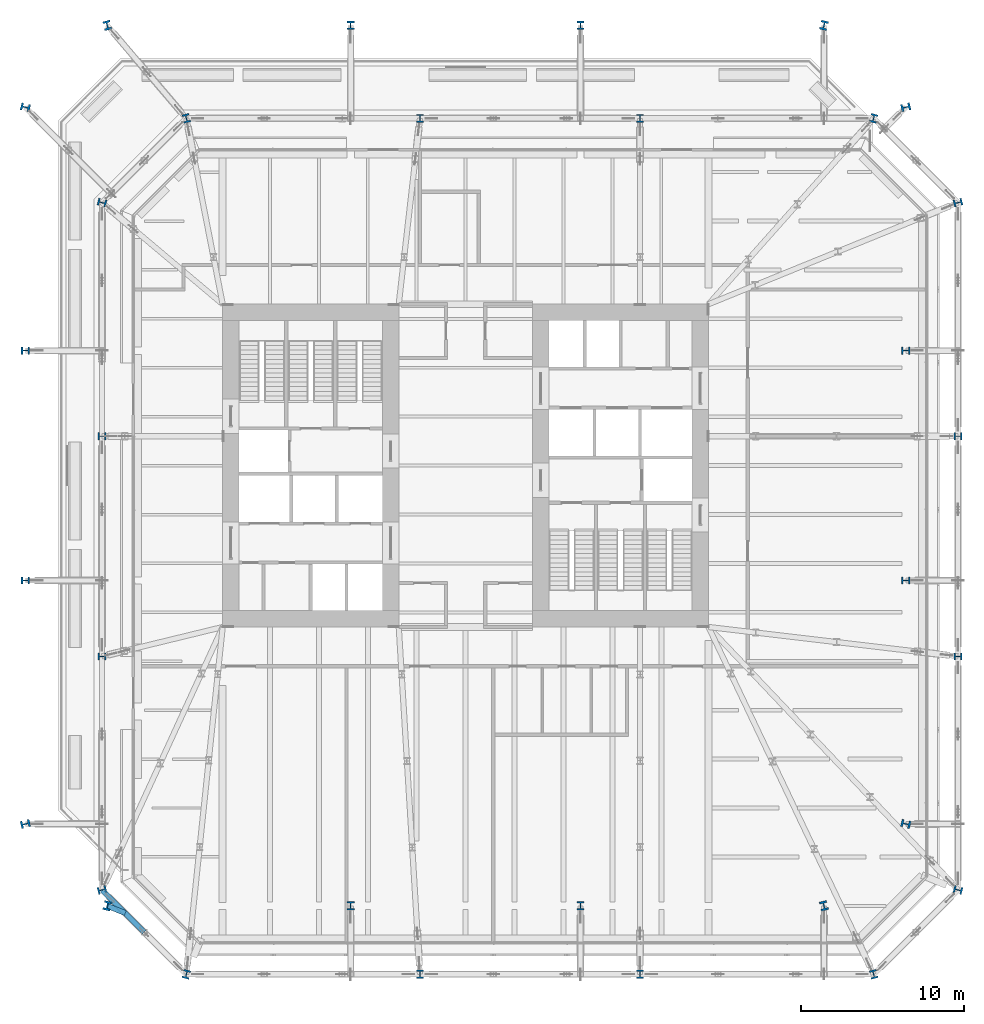
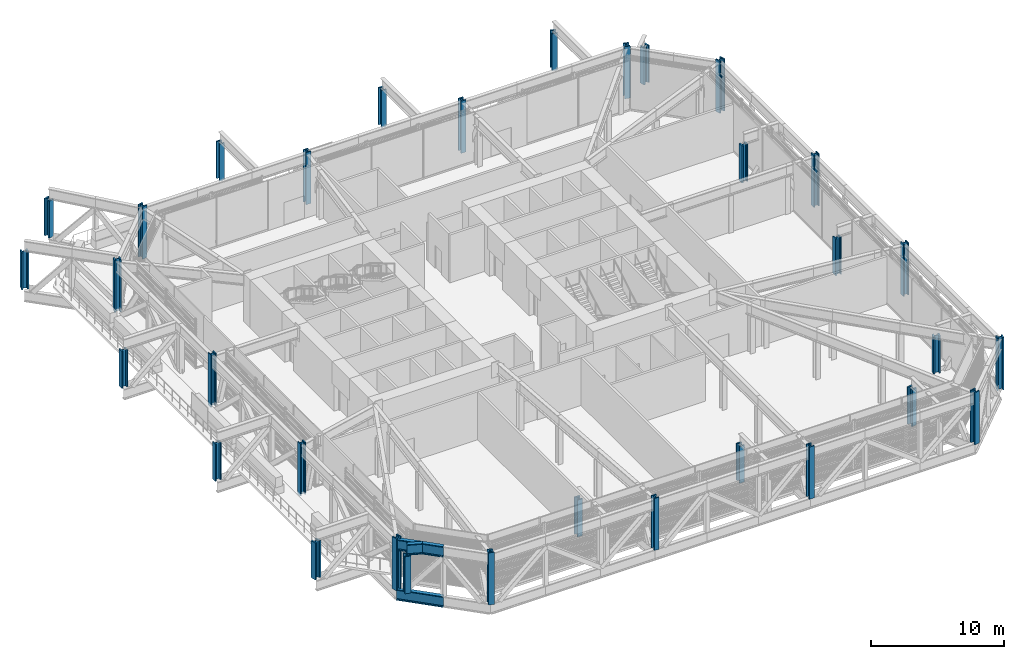
# One storey, part 1 of 29: 32 columns, 3 beams.
"""IFC4 building model written with IfcOpenShell, lengths in metres."""

from ifc_helpers import new_model, si_unit, direction, frame, origin, origin_2d, place, context, subcontext, project, spatial, i_section, extrude, material, material_profile, profile_set, type_object, element, save


model = new_model("IFC4")

# Units and contexts
model_context = context("Model", 3, precision=1e-05, world=origin(), true_north=direction((0.0, 1.0)))
body_context = subcontext(model_context, "Body", "Model", "MODEL_VIEW")
ifc_project = project(units=[si_unit("LENGTHUNIT", "METRE"), si_unit("AREAUNIT", "SQUARE_METRE"), si_unit("VOLUMEUNIT", "CUBIC_METRE"), si_unit("PLANEANGLEUNIT", "RADIAN"), si_unit("MASSUNIT", "GRAM", prefix="KILO")], contexts=[model_context])

# Site, building, storey
site_placement = place(None, origin())
site = spatial("IfcSite", under=ifc_project, at=site_placement, CompositionType="ELEMENT")
building_placement = place(site_placement, origin())
building = spatial("IfcBuilding", under=site, at=building_placement, Name="Millrace Tower", CompositionType="ELEMENT")
storey_placement = place(building_placement, frame((0.0, 0.0, 68.60009765625)))
storey = spatial("IfcBuildingStorey", under=building, at=storey_placement, Name="L15", CompositionType="ELEMENT", Elevation=68.60009765625)

# Columns
ifc_material_1 = material(Name="Steel ASTM A913 Grade 65", Category="steel")
ifc_material_profile_1 = material_profile(ifc_material_1, i_section(OverallWidth=0.431884765625, OverallDepth=0.497802734375, WebThickness=0.0556640625, FlangeThickness=0.0888671875, FilletRadius=0.01513671875, at=origin_2d()))
ifc_profile_set_1 = profile_set([ifc_material_profile_1], Name="Steel ASTM A913 Grade 65")
column_type_1 = type_object("IfcColumnType", Name="Exoskeleton column W14x500", PredefinedType="COLUMN", material=ifc_profile_set_1)
for number, where, z_axis, x_axis, name in (
    (1, (-2.800048828125, -31.199951171875, -0.2001953125), (0.0, 0.0, 1.0), (1.0, 0.0, 0.0), "COL-B-L15-X03"),
    (2, (10.699951171875, -31.199951171875, -0.2001953125), (0.0, 0.0, 1.0), (1.0, 0.0, 0.0), "COL-B-L15-X04"),
    (3, (30.199951171875, -11.699951171875, -0.2001953125), (0.0, 0.0, 1.0), (0.0, 1.0, 0.0), "COL-B-L15-X07"),
    (4, (30.199951171875, 1.800048828125, -0.2001953125), (0.0, 0.0, 1.0), (0.0, 1.0, 0.0), "COL-B-L15-X08"),
    (5, (10.699951171875, 21.300048828125, -0.2001953125), (0.0, 0.0, 1.0), (-1.0, 0.0, 0.0), "COL-B-L15-X11"),
    (6, (-2.800048828125, 21.300048828125, -0.2001953125), (0.0, 0.0, 1.0), (-1.0, 0.0, 0.0), "COL-B-L15-X12"),
    (7, (-22.300048828125, 1.800048828125, -0.2001953125), (0.0, 0.0, 1.0), (0.0, -1.0, 0.0), "COL-B-L15-X15"),
    (8, (-22.300048828125, -11.699951171875, -0.2001953125), (0.0, 0.0, 1.0), (0.0, -1.0, 0.0), "COL-B-L15-X16"),
):
    element("IfcColumn", number, at=place(storey_placement, frame(where, z_axis=z_axis, x_axis=x_axis)), inside=storey, type_object=column_type_1, Name=name, PredefinedType="COLUMN", context=body_context, shape_type="SweptSolid", body=[
        extrude(i_section(OverallWidth=0.431884765625, OverallDepth=0.497802734375, WebThickness=0.0556640625, FlangeThickness=0.0888671875, FilletRadius=0.01513671875, at=origin_2d()), origin(), (0.0, 0.0, 1.0), 4.800048828125),
    ])
ifc_material_2 = material(Name="Steel ASTM A913 Grade 65", Category="steel")
ifc_material_profile_2 = material_profile(ifc_material_2, i_section(OverallWidth=0.44189453125, OverallDepth=0.53076171875, WebThickness=0.06591796875, FlangeThickness=0.105712890625, FilletRadius=0.01513671875, at=origin_2d()))
ifc_profile_set_2 = profile_set([ifc_material_profile_2], Name="Steel ASTM A913 Grade 65")
column_type_2 = type_object("IfcColumnType", Name="Exoskeleton column W14x605", PredefinedType="COLUMN", material=ifc_profile_set_2)
for number, where, z_axis, x_axis, name in (
    (9, (-22.300048828125, -26.0283203125, -0.2001953125), (0.0, 0.0, 1.0), (0.256346878353, -0.966584852953, 0.0), "COL-B-L15-X01"),
    (10, (-17.12841796875, -31.199951171875, -0.2001953125), (0.0, 0.0, 1.0), (0.966584852953, -0.256346878353, 0.0), "COL-B-L15-X02"),
    (11, (25.0283203125, -31.199951171875, -0.2001953125), (0.0, 0.0, 1.0), (0.966584852953, 0.256346878353, 0.0), "COL-B-L15-X05"),
    (12, (30.199951171875, -26.0283203125, -0.2001953125), (0.0, 0.0, 1.0), (0.256346878353, 0.966584852953, 0.0), "COL-B-L15-X06"),
    (13, (30.199951171875, 16.12841796875, -0.2001953125), (0.0, 0.0, 1.0), (-0.256346878353, 0.966584852953, 0.0), "COL-B-L15-X09"),
    (14, (25.0283203125, 21.300048828125, -0.2001953125), (0.0, 0.0, 1.0), (-0.966584852953, 0.256346878353, 0.0), "COL-B-L15-X10"),
    (15, (-17.12841796875, 21.300048828125, -0.2001953125), (0.0, 0.0, 1.0), (-0.966584852953, -0.256346878353, 0.0), "COL-B-L15-X13"),
    (16, (-22.300048828125, 16.12841796875, -0.2001953125), (0.0, 0.0, 1.0), (-0.256346878353, -0.966584852953, 0.0), "COL-B-L15-X14"),
):
    element("IfcColumn", number, at=place(storey_placement, frame(where, z_axis=z_axis, x_axis=x_axis)), inside=storey, type_object=column_type_2, Name=name, PredefinedType="COLUMN", context=body_context, shape_type="SweptSolid", body=[
        extrude(i_section(OverallWidth=0.44189453125, OverallDepth=0.53076171875, WebThickness=0.06591796875, FlangeThickness=0.105712890625, FilletRadius=0.01513671875, at=origin_2d()), origin(), (0.0, 0.0, 1.0), 4.800048828125),
    ])
for number, where, z_axis, x_axis, name in (
    (17, (-7.050048828125, -27.0, 0.0), (0.0, 0.0, 1.0), (1.0, 0.0, 0.0), "COL-A-L15-X03"),
    (18, (7.050048828125, -27.0, 0.0), (0.0, 0.0, 1.0), (1.0, 0.0, 0.0), "COL-A-L15-X04"),
    (19, (27.0, -7.050048828125, 0.0), (0.0, 0.0, 1.0), (0.0, 1.0, 0.0), "COL-A-L15-X07"),
    (20, (27.0, 7.050048828125, 0.0), (0.0, 0.0, 1.0), (0.0, 1.0, 0.0), "COL-A-L15-X08"),
    (21, (7.050048828125, 27.0, 0.0), (0.0, 0.0, 1.0), (-1.0, 0.0, 0.0), "COL-A-L15-X11"),
    (22, (-7.050048828125, 27.0, 0.0), (0.0, 0.0, 1.0), (-1.0, 0.0, 0.0), "COL-A-L15-X12"),
    (23, (-27.0, 7.050048828125, 0.0), (0.0, 0.0, 1.0), (0.0, -1.0, 0.0), "COL-A-L15-X15"),
    (24, (-27.0, -7.050048828125, 0.0), (0.0, 0.0, 1.0), (0.0, -1.0, 0.0), "COL-A-L15-X16"),
):
    element("IfcColumn", number, at=place(storey_placement, frame(where, z_axis=z_axis, x_axis=x_axis)), inside=storey, type_object=column_type_2, Name=name, PredefinedType="COLUMN", context=body_context, shape_type="SweptSolid", body=[
        extrude(i_section(OverallWidth=0.44189453125, OverallDepth=0.53076171875, WebThickness=0.06591796875, FlangeThickness=0.105712890625, FilletRadius=0.01513671875, at=origin_2d()), origin(), (0.0, 0.0, 1.0), 3.40673828125),
    ])
ifc_material_3 = material(Name="Steel ASTM A913 Grade 65", Category="steel")
ifc_material_profile_3 = material_profile(ifc_material_3, i_section(OverallWidth=0.45458984375, OverallDepth=0.56884765625, WebThickness=0.077880859375, FlangeThickness=0.124755859375, FilletRadius=0.01513671875, at=origin_2d()))
ifc_profile_set_3 = profile_set([ifc_material_profile_3], Name="Steel ASTM A913 Grade 65")
column_type_3 = type_object("IfcColumnType", Name="Exoskeleton column W14x730", PredefinedType="COLUMN", material=ifc_profile_set_3)
for number, where, z_axis, x_axis, name in (
    (25, (-27.0, -21.978515625, 0.0), (0.0, 0.0, 1.0), (0.244094142872, -0.969751540043, 0.0), "COL-A-L15-X01"),
    (26, (-21.978515625, -27.0, 0.0), (0.0, 0.0, 1.0), (0.969751540043, -0.244094142872, 0.0), "COL-A-L15-X02"),
    (27, (21.978515625, -27.0, 0.0), (0.0, 0.0, 1.0), (0.969751540043, 0.244094142872, 0.0), "COL-A-L15-X05"),
    (28, (27.0, -21.978515625, 0.0), (0.0, 0.0, 1.0), (0.244094142872, 0.969751540043, 0.0), "COL-A-L15-X06"),
    (29, (27.0, 21.978515625, 0.0), (0.0, 0.0, 1.0), (-0.244094142872, 0.969751540043, 0.0), "COL-A-L15-X09"),
    (30, (21.978515625, 27.0, 0.0), (0.0, 0.0, 1.0), (-0.969751540043, 0.244094142872, 0.0), "COL-A-L15-X10"),
    (31, (-21.978515625, 27.0, 0.0), (0.0, 0.0, 1.0), (-0.969751540043, -0.244094142872, 0.0), "COL-A-L15-X13"),
    (32, (-27.0, 21.978515625, 0.0), (0.0, 0.0, 1.0), (-0.244094142872, -0.969751540043, 0.0), "COL-A-L15-X14"),
):
    element("IfcColumn", number, at=place(storey_placement, frame(where, z_axis=z_axis, x_axis=x_axis)), inside=storey, type_object=column_type_3, Name=name, PredefinedType="COLUMN", context=body_context, shape_type="SweptSolid", body=[
        extrude(i_section(OverallWidth=0.45458984375, OverallDepth=0.56884765625, WebThickness=0.077880859375, FlangeThickness=0.124755859375, FilletRadius=0.01513671875, at=origin_2d()), origin(), (0.0, 0.0, 1.0), 3.40673828125),
    ])

# Beams
ifc_material_4 = material(Name="Steel ASTM A992 Grade 50", Category="steel")
ifc_material_profile_4 = material_profile(ifc_material_4, i_section(OverallWidth=0.322509765625, OverallDepth=0.9931640625, WebThickness=0.0361328125, FlangeThickness=0.06494140625, FilletRadius=0.01904296875, at=origin_2d()))
ifc_profile_set_4 = profile_set([ifc_material_profile_4], Name="Steel ASTM A992 Grade 50")
beam_type = type_object("IfcBeamType", Name="Transfer truss chord W36x387", PredefinedType="BEAM", material=ifc_profile_set_4)
for number, where, z_axis, x_axis, name in (
    (33, (-22.300048828125, -26.0283203125, -0.69677734375), (0.707106781187, -0.707106781187, 0.0), (0.707106781187, 0.707106781187, 0.0), "TRS-L15-R01-B01"),
    (34, (-22.300048828125, -26.0283203125, 3.9033203125), (0.707106781187, -0.707106781187, 0.0), (0.707106781187, 0.707106781187, 0.0), "TRS-L15-R01-T01"),
):
    element("IfcBeam", number, at=place(storey_placement, frame(where, z_axis=z_axis, x_axis=x_axis)), inside=storey, type_object=beam_type, Name=name, PredefinedType="BEAM", context=body_context, shape_type="SweptSolid", body=[
        extrude(i_section(OverallWidth=0.322509765625, OverallDepth=0.9931640625, WebThickness=0.0361328125, FlangeThickness=0.06494140625, FilletRadius=0.01904296875, at=origin_2d()), origin(), (0.0, 0.0, 1.0), 3.656982421875),
    ])
beam_placement = place(storey_placement, frame((-21.978515625, -27.0, 3.9033203125), z_axis=(0.925076370834, -0.37978113187, 0.0), x_axis=(0.37978113187, 0.925076370834, 0.0)))
element("IfcBeam", 35, at=beam_placement, inside=storey, type_object=beam_type, Name="TRS-L15-A-X02-TIE", PredefinedType="BEAM", context=body_context, shape_type="SweptSolid", body=[
    extrude(i_section(OverallWidth=0.322509765625, OverallDepth=0.9931640625, WebThickness=0.0361328125, FlangeThickness=0.06494140625, FilletRadius=0.01904296875, at=origin_2d()), origin(), (0.0, 0.0, 1.0), 1.19189453125),
])

save(model, "model.ifc")
